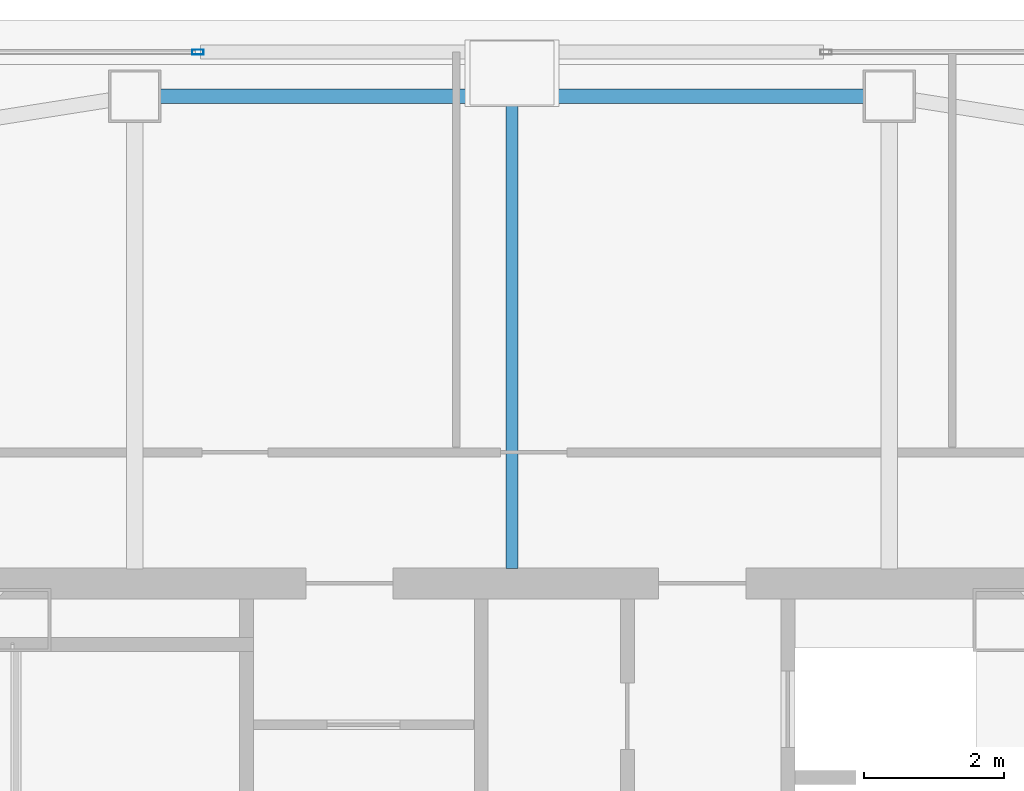
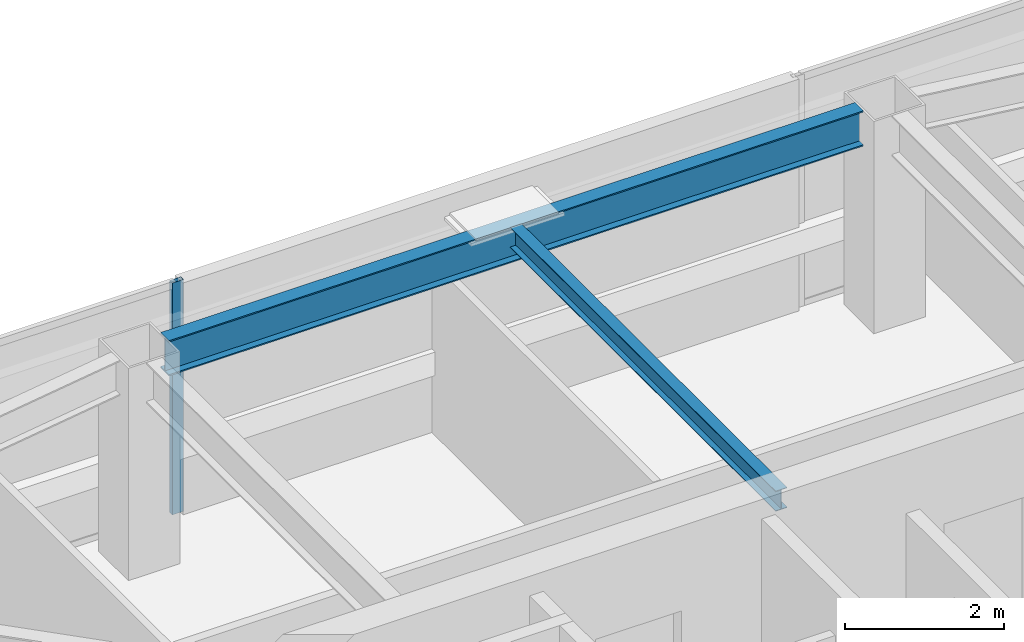
# One storey, part 11 of 18: 2 beams, 1 member, 1 element without a shape of its own.
"""IFC4 building model written with IfcOpenShell, lengths in metres."""

import ifcopenshell
import ifcopenshell.guid

model = None  # the IFC model being written
_history = None  # IfcOwnerHistory: only IFC2X3 demands one
_inside = {}  # id of a spatial element -> (the spatial element, [elements in it])
_under = {}  # id of a project, library or spatial element -> (it, [spatial elements below it])
_declared = {}  # id of a project -> (the project, [libraries it declares])
_typed = {}  # id of a type object -> (the type object, [elements of that type])
_made_of = {}  # id of a material, layer set ... -> (it, [elements and type objects made of it])


def new_model(schema):
    """Start an empty IFC model of exactly this schema.

    Asked for "IFC4X3", IfcOpenShell would pick the latest addendum, in which some entities
    have other attributes; the version numbers below select the first issue.
    IFC2X3 requires an IfcOwnerHistory on every rooted entity: one is made here for all.
    """
    global model, _history
    if schema == "IFC4X3":
        model = ifcopenshell.file(schema_version=(4, 3, 0, 0))
    else:
        model = ifcopenshell.file(schema=schema)
    _inside.clear()
    _under.clear()
    _declared.clear()
    _typed.clear()
    _made_of.clear()
    _history = None
    if model.schema == "IFC2X3":
        org = make("IfcOrganization", Name="unknown")
        user = make(
            "IfcPersonAndOrganization",
            ThePerson=make("IfcPerson", FamilyName="unknown"),
            TheOrganization=org,
        )
        app = make(
            "IfcApplication",
            ApplicationDeveloper=org,
            Version="unknown",
            ApplicationFullName="unknown",
            ApplicationIdentifier="unknown",
        )
        _history = make(
            "IfcOwnerHistory",
            OwningUser=user,
            OwningApplication=app,
            ChangeAction="ADDED",
            CreationDate=0,
        )
    return model


def make(cls, **values):
    """One entity of the class cls with the attributes given. An attribute that is None is left unset."""
    return model.create_entity(
        cls, **{name: value for name, value in values.items() if value is not None}
    )


def rooted(cls, **values):
    """An entity with a GlobalId (a new one), such as an element, a storey or a relation."""
    return make(cls, GlobalId=ifcopenshell.guid.new(), OwnerHistory=_history, **values)


def si_unit(unit_type, name, prefix=None):
    """IfcSIUnit, for example si_unit("LENGTHUNIT", "METRE", prefix="MILLI")."""
    return make("IfcSIUnit", UnitType=unit_type, Prefix=prefix, Name=name)


def assignment(units):
    """IfcUnitAssignment: the units of a project."""
    return None if units is None else make("IfcUnitAssignment", Units=units)


def point(xyz):
    """IfcCartesianPoint."""
    return None if xyz is None else make("IfcCartesianPoint", Coordinates=xyz)


def direction(xyz):
    """IfcDirection."""
    return None if xyz is None else make("IfcDirection", DirectionRatios=xyz)


def frame(location, z_axis=None, x_axis=None):
    """IfcAxis2Placement3D, a coordinate frame: its origin and axes. An axis left out is left unset."""
    return make(
        "IfcAxis2Placement3D",
        Location=point(location),
        Axis=direction(z_axis),
        RefDirection=direction(x_axis),
    )


def frame_2d(location, x_axis=None):
    """IfcAxis2Placement2D, a coordinate frame in the plane: its origin and x axis."""
    return make(
        "IfcAxis2Placement2D", Location=point(location), RefDirection=direction(x_axis)
    )


def origin():
    """The frame at (0, 0, 0) with its axes left unset."""
    return frame((0.0, 0.0, 0.0))


def origin_2d():
    """The frame at (0, 0) in the plane with its x axis left unset."""
    return frame_2d((0.0, 0.0))


def place(relative_to, where):
    """IfcLocalPlacement: puts the frame where relative to a parent placement (None: the world)."""
    return make(
        "IfcLocalPlacement", PlacementRelTo=relative_to, RelativePlacement=where
    )


def context(
    kind, dimensions, precision=None, world=None, true_north=None, identifier=None
):
    """IfcGeometricRepresentationContext, for example the 3D "Model" context."""
    return make(
        "IfcGeometricRepresentationContext",
        ContextIdentifier=identifier,
        ContextType=kind,
        CoordinateSpaceDimension=dimensions,
        Precision=precision,
        WorldCoordinateSystem=world,
        TrueNorth=true_north,
    )


def subcontext(parent, identifier, kind, view, scale=None):
    """IfcGeometricRepresentationSubContext, for example "Body" below "Model"."""
    return make(
        "IfcGeometricRepresentationSubContext",
        ContextIdentifier=identifier,
        ContextType=kind,
        ParentContext=parent,
        TargetScale=scale,
        TargetView=view,
    )


def project(units=None, contexts=None):
    """IfcProject with its units and contexts."""
    return rooted(
        "IfcProject",
        Name="project",
        RepresentationContexts=contexts,
        UnitsInContext=assignment(units),
    )


def spatial(cls, under=None, at=None, **own):
    """A site, building, storey or space (cls), placed at a placement, below another one or the project."""
    s = rooted(cls, ObjectPlacement=at, **own)
    if under is not None:
        _under.setdefault(under.id(), (under, []))[1].append(s)
    return s


def profile(cls, at=None, kind="AREA", **sizes):
    """A parametric profile (cls). Its sizes go by their IFC names, for example OverallWidth=200.0."""
    return make(cls, ProfileType=kind, Position=at, **sizes)


def hollow_rectangle(**sizes):
    """IfcRectangleHollowProfileDef."""
    return profile("IfcRectangleHollowProfileDef", **sizes)


def i_section(**sizes):
    """IfcIShapeProfileDef."""
    return profile("IfcIShapeProfileDef", **sizes)


def extrude(swept, where, along, depth):
    """IfcExtrudedAreaSolid: the profile swept, set in the frame where, extruded along a direction by depth."""
    return make(
        "IfcExtrudedAreaSolid",
        SweptArea=swept,
        Position=where,
        ExtrudedDirection=direction(along),
        Depth=depth,
    )


def shape(context_of_items, identifier, shape_type, items):
    """IfcShapeRepresentation: the items that make up one representation, for example the "Body"."""
    return make(
        "IfcShapeRepresentation",
        ContextOfItems=context_of_items,
        RepresentationIdentifier=identifier,
        RepresentationType=shape_type,
        Items=items,
    )


def material(Name=None, Category=None):
    """IfcMaterial."""
    return make("IfcMaterial", Name=Name, Category=Category)


def material_profile(
    of_material, cross_section, Name=None, Category=None, Priority=None
):
    """IfcMaterialProfile: a cross section and its material."""
    return make(
        "IfcMaterialProfile",
        Name=Name,
        Material=of_material,
        Profile=cross_section,
        Priority=Priority,
        Category=Category,
    )


def profile_set(profiles, Name=None, composite=None):
    """IfcMaterialProfileSet."""
    return make(
        "IfcMaterialProfileSet",
        Name=Name,
        MaterialProfiles=profiles,
        CompositeProfile=composite,
    )


def made_of(thing, what):
    """Note that an element or type object is made of a material, layer set ...; save() writes the relation."""
    if what is not None:
        _made_of.setdefault(what.id(), (what, []))[1].append(thing)
    return thing


def type_object(cls, material=None, **own):
    """A type object (cls), such as IfcWallType, which elements share."""
    return made_of(rooted(cls, **own), material)


def element(
    cls,
    number,
    at=None,
    inside=None,
    cuts=None,
    type_object=None,
    material=None,
    context=None,
    identifier="Body",
    shape_type=None,
    held_by="IfcProductDefinitionShape",
    body=None,
    shapes=None,
    **own,
):
    """One element of the class cls, such as IfcWall. Its Tag is "e" and its number.

    at: its placement. inside: the storey or other place that contains it. cuts: it is an
    opening in that element (IfcRelVoidsElement). A single representation is given by context,
    identifier, shape_type and body (its items); several are given by shapes. held_by: the class
    of the entity that holds the representations. save() writes the other relations.
    """
    e = rooted(cls, Tag="e%d" % number, ObjectPlacement=at, **own)
    if body is not None:
        shapes = [shape(context, identifier, shape_type, body)]
    if shapes is not None:
        e.Representation = make(held_by, Representations=shapes)
    if inside is not None:
        _inside.setdefault(inside.id(), (inside, []))[1].append(e)
    if cuts is not None:
        rooted(
            "IfcRelVoidsElement", RelatingBuildingElement=cuts, RelatedOpeningElement=e
        )
    if type_object is not None:
        _typed.setdefault(type_object.id(), (type_object, []))[1].append(e)
    return made_of(e, material)


def aggregate(whole, parts):
    """IfcRelAggregates: a whole, such as a stair, and the parts it consists of."""
    return rooted("IfcRelAggregates", RelatingObject=whole, RelatedObjects=parts)


def save(model, path):
    """Write the relations noted so far, then the file.

    IfcRelAggregates (storeys below a building ...), IfcRelContainedInSpatialStructure (elements
    in a storey), IfcRelDefinesByType, IfcRelAssociatesMaterial and IfcRelDeclares: one each for
    every whole, place, type object, material and project.
    """
    for whole, parts in _under.values():
        aggregate(whole, parts)
    for where, things in _inside.values():
        rooted(
            "IfcRelContainedInSpatialStructure",
            RelatedElements=things,
            RelatingStructure=where,
        )
    for kind, things in _typed.values():
        rooted("IfcRelDefinesByType", RelatedObjects=things, RelatingType=kind)
    for what, things in _made_of.values():
        rooted("IfcRelAssociatesMaterial", RelatedObjects=things, RelatingMaterial=what)
    for by, libraries in _declared.values():
        rooted("IfcRelDeclares", RelatingContext=by, RelatedDefinitions=libraries)
    model.write(path)


model = new_model("IFC4")

# Units and contexts
model_context = context("Model", 3, precision=1e-05, world=origin(), true_north=direction((0.0, 1.0)))
body_context = subcontext(model_context, "Body", "Model", "MODEL_VIEW")
ifc_project = project(units=[si_unit("LENGTHUNIT", "METRE"), si_unit("AREAUNIT", "SQUARE_METRE"), si_unit("VOLUMEUNIT", "CUBIC_METRE"), si_unit("PLANEANGLEUNIT", "RADIAN"), si_unit("MASSUNIT", "GRAM", prefix="KILO")], contexts=[model_context])

# Site, building, storey
site_placement = place(None, origin())
site = spatial("IfcSite", under=ifc_project, at=site_placement, CompositionType="ELEMENT")
building_placement = place(site_placement, origin())
building = spatial("IfcBuilding", under=site, at=building_placement, Name="Tashvorn Skyway Center", CompositionType="ELEMENT")
storey_placement = place(building_placement, frame((0.0, 0.0, 274.050048828125)))
storey = spatial("IfcBuildingStorey", under=building, at=storey_placement, Name="L74", CompositionType="ELEMENT", Elevation=274.050048828125)

# Beams
ifc_material_1 = material(Name="Steel ASTM A992 Grade 50", Category="steel")
ifc_material_profile_1 = material_profile(ifc_material_1, i_section(OverallWidth=0.1650390625, OverallDepth=0.31005859375, WebThickness=0.005859375, FlangeThickness=0.009765625, at=origin_2d()), Name="W12X26")
ifc_profile_set_1 = profile_set([ifc_material_profile_1], Name="Steel ASTM A992 Grade 50")
beam_type_1 = type_object("IfcBeamType", Name="BM-JOIST-W12X26", PredefinedType="JOIST", material=ifc_profile_set_1)
beam_1_placement = place(storey_placement, frame((42.0, 39.7900390625, 3.094970703125), z_axis=(0.0, 1.0, 0.0), x_axis=(-1.0, 0.0, 0.0)))
element("IfcBeam", 1, at=beam_1_placement, inside=storey, type_object=beam_type_1, Name="Tower 1 L74 Secondary Composite Joist JN", PredefinedType="JOIST", context=body_context, shape_type="SweptSolid", body=[
    extrude(i_section(OverallWidth=0.1650390625, OverallDepth=0.31005859375, WebThickness=0.005859375, FlangeThickness=0.009765625, at=origin_2d()), origin(), (0.0, 0.0, 1.0), 6.662353515625),
])
ifc_material_profile_2 = material_profile(ifc_material_1, i_section(OverallWidth=0.2109375, OverallDepth=0.5390625, WebThickness=0.01171875, FlangeThickness=0.018798828125, at=origin_2d()), Name="W21X73")
ifc_profile_set_2 = profile_set([ifc_material_profile_2], Name="Steel ASTM A992 Grade 50")
beam_type_2 = type_object("IfcBeamType", Name="BM-SPANDREL-W21X73", PredefinedType="SPANDREL", material=ifc_profile_set_2)
beam_2_placement = place(storey_placement, frame((47.030029296875, 46.550048828125, 2.98046875), z_axis=(-1.0, 0.0, 0.0), x_axis=(0.0, -1.0, 0.0)))
element("IfcBeam", 2, at=beam_2_placement, inside=storey, type_object=beam_type_2, Name="Tower 1 L74 Spandrel Beam 08", PredefinedType="SPANDREL", context=body_context, shape_type="SweptSolid", body=[
    extrude(i_section(OverallWidth=0.2109375, OverallDepth=0.5390625, WebThickness=0.01171875, FlangeThickness=0.018798828125, at=origin_2d()), origin(), (0.0, 0.0, 1.0), 10.06005859375),
])

# Curtain wall, member
ifc_material_2 = material(Name="Thermally broken bronze-anodized aluminium 6063-T6", Category="aluminium")
curtain_wall_type = type_object("IfcCurtainWallType", Name="CW-CW-Z5", PredefinedType="NOTDEFINED", material=ifc_material_2)
curtain_wall_placement = place(storey_placement, origin())
curtain_wall = element("IfcCurtainWall", 3, at=curtain_wall_placement, inside=storey, type_object=curtain_wall_type, Name="Tower 1 L74 North Unitised Curtain Wall Glazing Group 1", PredefinedType="NOTDEFINED")
ifc_material_profile_3 = material_profile(ifc_material_2, hollow_rectangle(XDim=0.070068359375, YDim=0.1650390625, WallThickness=0.00390625, at=origin_2d()), Name="ALU-MULL-70x165")
ifc_profile_set_3 = profile_set([ifc_material_profile_3], Name="Thermally broken bronze-anodized aluminium 6063-T6")
member_type = type_object("IfcMemberType", Name="CWM-CW-Z5", PredefinedType="MULLION", material=ifc_profile_set_3)
member_placement = place(storey_placement, frame((37.5048828125, 47.179931640625, 0.0), z_axis=(0.0, 0.0, 1.0), x_axis=(0.0, 1.0, 0.0)))
member = element("IfcMember", 4, at=member_placement, type_object=member_type, Name="CW-Z5 mullion 2", PredefinedType="MULLION", context=body_context, shape_type="SweptSolid", body=[
    extrude(hollow_rectangle(XDim=0.070068359375, YDim=0.1650390625, WallThickness=0.00390625, at=origin_2d()), origin(), (0.0, 0.0, 1.0), 3.550048828125),
])
aggregate(curtain_wall, [member])

save(model, "model.ifc")
